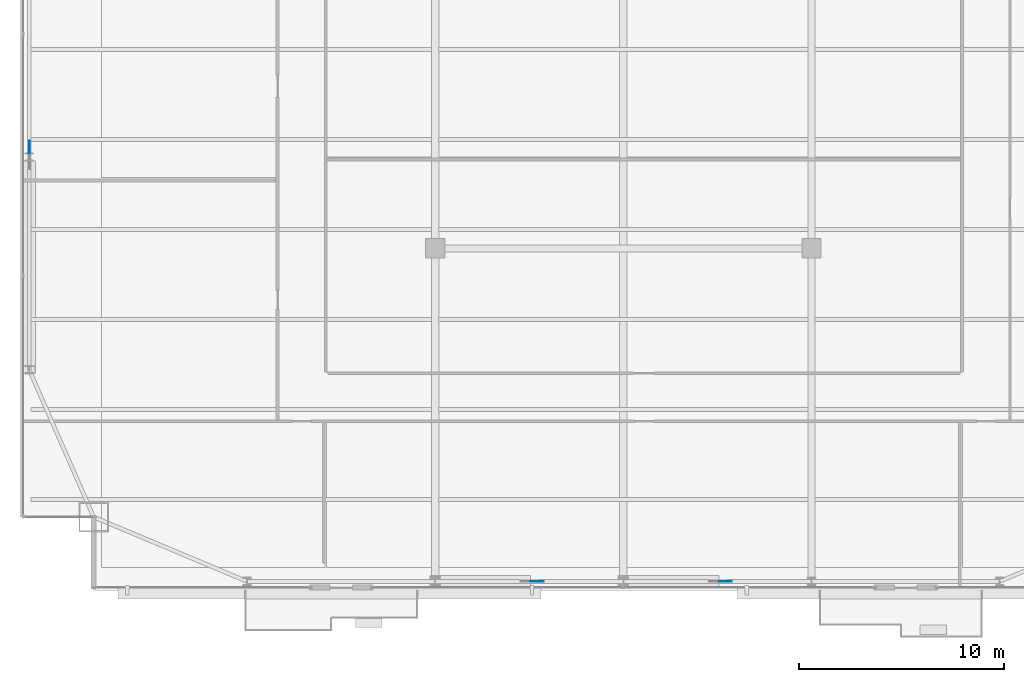
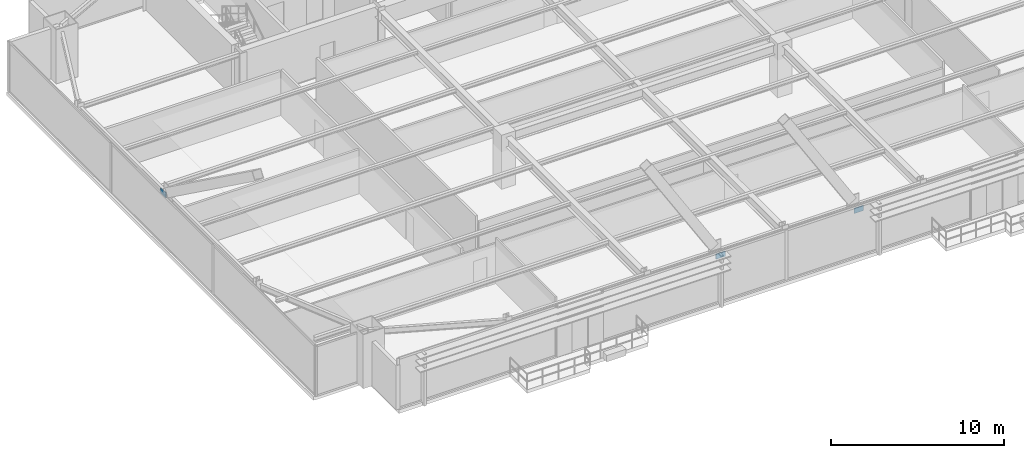
# One storey, part 31 of 37: 3 plates.
"""IFC4 building model written with IfcOpenShell, lengths in metres."""

from ifc_helpers import new_model, si_unit, direction, frame, origin, origin_2d, place, context, subcontext, project, spatial, rectangle, extrude, source, transform, mapped, material, layer, layer_set, type_object, type_shapes, element, save


model = new_model("IFC4")

# Units and contexts
model_context = context("Model", 3, precision=1e-05, world=origin(), true_north=direction((0.0, 1.0)))
body_context = subcontext(model_context, "Body", "Model", "MODEL_VIEW")
ifc_project = project(units=[si_unit("LENGTHUNIT", "METRE"), si_unit("AREAUNIT", "SQUARE_METRE"), si_unit("VOLUMEUNIT", "CUBIC_METRE"), si_unit("PLANEANGLEUNIT", "RADIAN"), si_unit("MASSUNIT", "GRAM", prefix="KILO")], contexts=[model_context])

# Site, building, storey
site_placement = place(None, origin())
site = spatial("IfcSite", under=ifc_project, at=site_placement, CompositionType="ELEMENT")
building_placement = place(site_placement, origin())
building = spatial("IfcBuilding", under=site, at=building_placement, Name="Varnel Quay Broadcast Tower", CompositionType="ELEMENT")
storey_placement = place(building_placement, frame((0.0, 0.0, 106.800048828125)))
storey = spatial("IfcBuildingStorey", under=building, at=storey_placement, Name="L25", CompositionType="ELEMENT", Elevation=106.800048828125)

# Plates
ifc_material = material(Name="Structural Steel CSA G40.21 350WT", Category="steel")
ifc_layer = layer(ifc_material, 0.031982421875, Name="Structural Steel CSA G40.21 350WT")
ifc_layer_set = layer_set([ifc_layer], Name="Structural Steel CSA G40.21 350WT")
plate_type = type_object("IfcPlateType", Name="Plate_EndCap", PredefinedType="USERDEFINED", material=ifc_layer_set)
shared_shape = source(origin(), body_context, "Body", "SweptSolid", [
    extrude(rectangle(XDim=0.6201171875, YDim=0.031982421875, at=origin_2d()), origin(), (0.0, 0.0, 1.0), 0.3798828125),
])
type_shapes(plate_type, [shared_shape])
for number, where, z_axis, x_axis, name in (
    (1, (29.788818359375, 4.64990234375, 2.8544921875), (0.0, 0.0, 1.0), (1.0, 0.0, 0.0), "Zone 2 Mega-Brace S-C1T2 Diag B1 End Connection Plate P1"),
    (2, (38.989013671875, 4.64990234375, 2.8544921875), (0.0, 0.0, 1.0), (1.0, 0.0, 0.0), "Zone 2 Mega-Brace S-C2T2 Diag B1 End Connection Plate P1"),
    (3, (4.949951171875, 25.8837890625, 3.0625), (0.0, 0.0, 1.0), (0.0, 1.0, 0.0), "Zone 2 Mega-Brace W-FT2 Diag B1 End Connection Plate P1"),
):
    element("IfcPlate", number, at=place(storey_placement, frame(where, z_axis=z_axis, x_axis=x_axis)), inside=storey, type_object=plate_type, Name=name, ObjectType="CAP_PLATE", PredefinedType="USERDEFINED", context=body_context, shape_type="MappedRepresentation", body=[
        mapped(shared_shape, transform((0.0, 0.0, 0.0), x_axis=(1.0, 0.0, 0.0), y_axis=(0.0, 1.0, 0.0), z_axis=(0.0, 0.0, 1.0), scale=1.0)),
    ])

save(model, "model.ifc")
